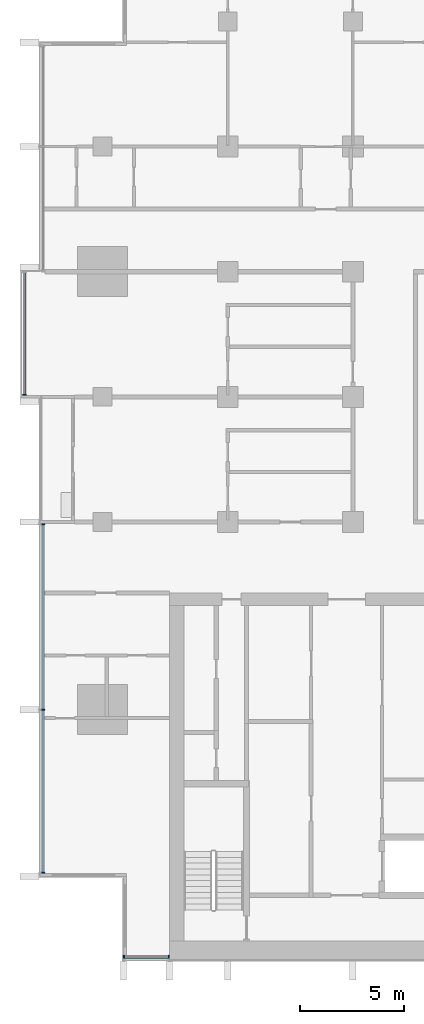
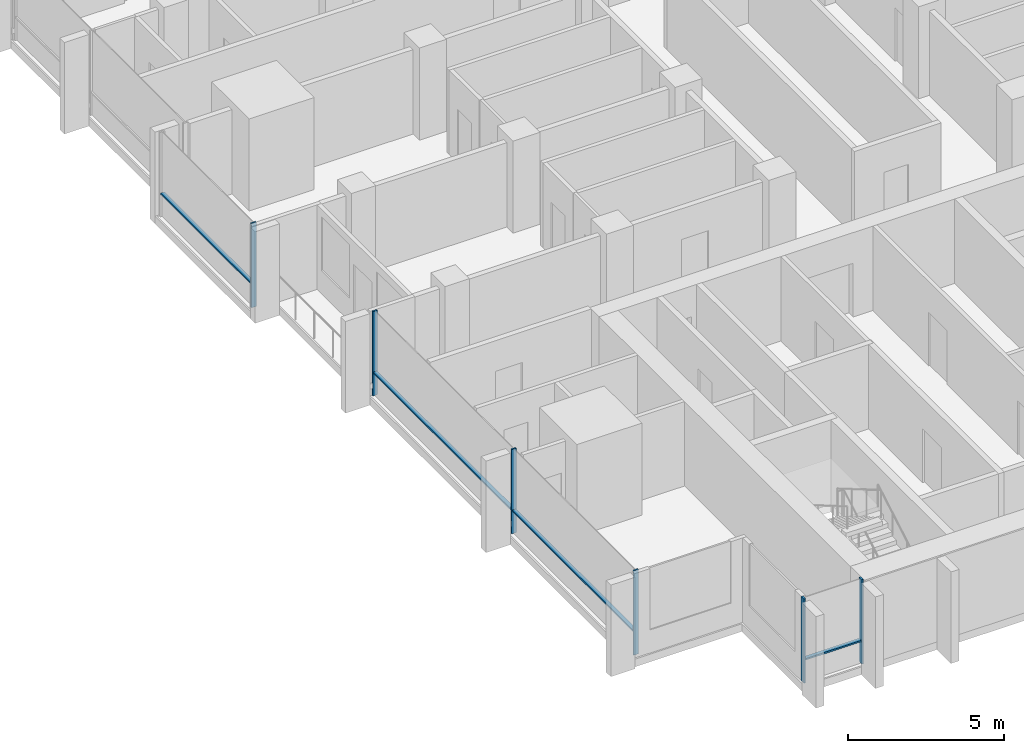
# One storey, part 2 of 16: 10 members, 3 elements without a shape of their own.
"""IFC4 building model written with IfcOpenShell, lengths in metres."""

from ifc_helpers import new_model, si_unit, direction, frame, origin, origin_2d, place, context, subcontext, project, spatial, rectangle, extrude, material, material_profile, profile_set, type_object, element, aggregate, save


model = new_model("IFC4")

# Units and contexts
model_context = context("Model", 3, precision=1e-05, world=origin(), true_north=direction((0.0, 1.0)))
body_context = subcontext(model_context, "Body", "Model", "MODEL_VIEW")
ifc_project = project(units=[si_unit("LENGTHUNIT", "METRE"), si_unit("AREAUNIT", "SQUARE_METRE"), si_unit("VOLUMEUNIT", "CUBIC_METRE"), si_unit("PLANEANGLEUNIT", "RADIAN"), si_unit("MASSUNIT", "GRAM", prefix="KILO")], contexts=[model_context])

# Site, building, storey
site_placement = place(None, origin())
site = spatial("IfcSite", under=ifc_project, at=site_placement, CompositionType="ELEMENT")
building_placement = place(site_placement, origin())
building = spatial("IfcBuilding", under=site, at=building_placement, Name="Finial Court Residences", CompositionType="ELEMENT")
storey_placement = place(building_placement, frame((0.0, 0.0, 178.10009765625)))
storey = spatial("IfcBuildingStorey", under=building, at=storey_placement, Name="L44", CompositionType="ELEMENT", Elevation=178.10009765625)

# Curtain wall, members
ifc_material = material(Name="Bronze anodised aluminium", Category="aluminium")
curtain_wall_type = type_object("IfcCurtainWallType", Name="Unitised curtain wall, upper zones", PredefinedType="NOTDEFINED", material=ifc_material)
curtain_wall_1_placement = place(storey_placement, origin())
curtain_wall_1 = element("IfcCurtainWall", 1, at=curtain_wall_1_placement, inside=storey, type_object=curtain_wall_type, Name="E-L44-CW-S9", PredefinedType="NOTDEFINED")
ifc_material_profile_1 = material_profile(ifc_material, rectangle(XDim=0.175048828125, YDim=0.06005859375, at=origin_2d()), Name="CW2 mullion 60 x 175")
ifc_profile_set_1 = profile_set([ifc_material_profile_1], Name="Bronze anodised aluminium")
member_type_1 = type_object("IfcMemberType", Name="CW2 mullion 60 x 175", PredefinedType="MULLION", material=ifc_profile_set_1)
member_1_placement = place(storey_placement, frame((-15.469970703125, -25.35009765625, 0.0), z_axis=(0.0, 0.0, 1.0), x_axis=(0.0, 1.0, 0.0)))
member_1 = element("IfcMember", 2, at=member_1_placement, type_object=member_type_1, Name="CW2 mullion 1", PredefinedType="MULLION", context=body_context, shape_type="SweptSolid", body=[
    extrude(rectangle(XDim=0.175048828125, YDim=0.06005859375, at=origin_2d()), origin(), (0.0, 0.0, 1.0), 3.2998046875),
])
member_2_placement = place(storey_placement, frame((-13.330078125, -25.35009765625, 0.0), z_axis=(0.0, 0.0, 1.0), x_axis=(0.0, 1.0, 0.0)))
member_2 = element("IfcMember", 3, at=member_2_placement, type_object=member_type_1, Name="CW2 mullion 2", PredefinedType="MULLION", context=body_context, shape_type="SweptSolid", body=[
    extrude(rectangle(XDim=0.175048828125, YDim=0.06005859375, at=origin_2d()), origin(), (0.0, 0.0, 1.0), 3.2998046875),
])

curtain_wall_2_placement = place(storey_placement, origin())
curtain_wall_2 = element("IfcCurtainWall", 4, at=curtain_wall_2_placement, inside=storey, type_object=curtain_wall_type, Name="E-L44-CW-W11", PredefinedType="NOTDEFINED")
member_3_placement = place(storey_placement, frame((-19.35009765625, -21.320068359375, 0.0), z_axis=(0.0, 0.0, 1.0), x_axis=(-1.0, 0.0, 0.0)))
member_3 = element("IfcMember", 5, at=member_3_placement, type_object=member_type_1, Name="CW2 mullion 1", PredefinedType="MULLION", context=body_context, shape_type="SweptSolid", body=[
    extrude(rectangle(XDim=0.175048828125, YDim=0.06005859375, at=origin_2d()), origin(), (0.0, 0.0, 1.0), 3.2998046875),
])
member_4_placement = place(storey_placement, frame((-19.35009765625, -13.5, 0.0), z_axis=(0.0, 0.0, 1.0), x_axis=(-1.0, 0.0, 0.0)))
member_4 = element("IfcMember", 6, at=member_4_placement, type_object=member_type_1, Name="CW2 mullion 2", PredefinedType="MULLION", context=body_context, shape_type="SweptSolid", body=[
    extrude(rectangle(XDim=0.175048828125, YDim=0.06005859375, at=origin_2d()), origin(), (0.0, 0.0, 1.0), 3.2998046875),
])
member_5_placement = place(storey_placement, frame((-19.35009765625, -4.60498046875, 0.0), z_axis=(0.0, 0.0, 1.0), x_axis=(-1.0, 0.0, 0.0)))
member_5 = element("IfcMember", 7, at=member_5_placement, type_object=member_type_1, Name="CW2 mullion 3", PredefinedType="MULLION", context=body_context, shape_type="SweptSolid", body=[
    extrude(rectangle(XDim=0.175048828125, YDim=0.06005859375, at=origin_2d()), origin(), (0.0, 0.0, 1.0), 3.2998046875),
])

# Curtain wall, member
curtain_wall_3_placement = place(storey_placement, origin())
curtain_wall_3 = element("IfcCurtainWall", 8, at=curtain_wall_3_placement, inside=storey, type_object=curtain_wall_type, Name="E-L44-CW-W12", PredefinedType="NOTDEFINED")
member_6_placement = place(storey_placement, frame((-20.25, 1.60498046875, 0.0), z_axis=(0.0, 0.0, 1.0), x_axis=(-1.0, 0.0, 0.0)))
member_6 = element("IfcMember", 9, at=member_6_placement, type_object=member_type_1, Name="CW2 mullion 1", PredefinedType="MULLION", context=body_context, shape_type="SweptSolid", body=[
    extrude(rectangle(XDim=0.175048828125, YDim=0.06005859375, at=origin_2d()), origin(), (0.0, 0.0, 1.0), 3.2998046875),
])

# Member
ifc_material_profile_2 = material_profile(ifc_material, rectangle(XDim=0.139892578125, YDim=0.06005859375, at=origin_2d()), Name="CW2 transom 60 x 140")
ifc_profile_set_2 = profile_set([ifc_material_profile_2], Name="Bronze anodised aluminium")
member_type_2 = type_object("IfcMemberType", Name="CW2 transom 60 x 140", PredefinedType="USERDEFINED", material=ifc_profile_set_2)
member_7_placement = place(storey_placement, frame((-15.43994140625, -25.35009765625, 0.89990234375), z_axis=(1.0, 0.0, 0.0), x_axis=(0.0, 1.0, 0.0)))
member_7 = element("IfcMember", 10, at=member_7_placement, type_object=member_type_2, Name="CW2 transom 1.1", ObjectType="TRANSOM", PredefinedType="USERDEFINED", context=body_context, shape_type="SweptSolid", body=[
    extrude(rectangle(XDim=0.139892578125, YDim=0.06005859375, at=origin_2d()), origin(), (0.0, 0.0, 1.0), 2.079833984375),
])

aggregate(curtain_wall_1, [member_1, member_2, member_7])

member_8_placement = place(storey_placement, frame((-19.35009765625, -21.2900390625, 0.89990234375), z_axis=(0.0, 1.0, 0.0), x_axis=(-1.0, 0.0, 0.0)))
member_8 = element("IfcMember", 11, at=member_8_placement, type_object=member_type_2, Name="CW2 transom 1.1", ObjectType="TRANSOM", PredefinedType="USERDEFINED", context=body_context, shape_type="SweptSolid", body=[
    extrude(rectangle(XDim=0.139892578125, YDim=0.06005859375, at=origin_2d()), origin(), (0.0, 0.0, 1.0), 7.760009765625),
])

member_9_placement = place(storey_placement, frame((-19.35009765625, -13.469970703125, 0.89990234375), z_axis=(0.0, 1.0, 0.0), x_axis=(-1.0, 0.0, 0.0)))
member_9 = element("IfcMember", 12, at=member_9_placement, type_object=member_type_2, Name="CW2 transom 2.1", ObjectType="TRANSOM", PredefinedType="USERDEFINED", context=body_context, shape_type="SweptSolid", body=[
    extrude(rectangle(XDim=0.139892578125, YDim=0.06005859375, at=origin_2d()), origin(), (0.0, 0.0, 1.0), 8.8349609375),
])

aggregate(curtain_wall_2, [member_3, member_4, member_5, member_8, member_9])

member_10_placement = place(storey_placement, frame((-20.25, 1.635009765625, 0.89990234375), z_axis=(0.0, 1.0, 0.0), x_axis=(-1.0, 0.0, 0.0)))
member_10 = element("IfcMember", 13, at=member_10_placement, type_object=member_type_2, Name="CW2 transom 1.1", ObjectType="TRANSOM", PredefinedType="USERDEFINED", context=body_context, shape_type="SweptSolid", body=[
    extrude(rectangle(XDim=0.139892578125, YDim=0.06005859375, at=origin_2d()), origin(), (0.0, 0.0, 1.0), 5.804931640625),
])

aggregate(curtain_wall_3, [member_6, member_10])

save(model, "model.ifc")
